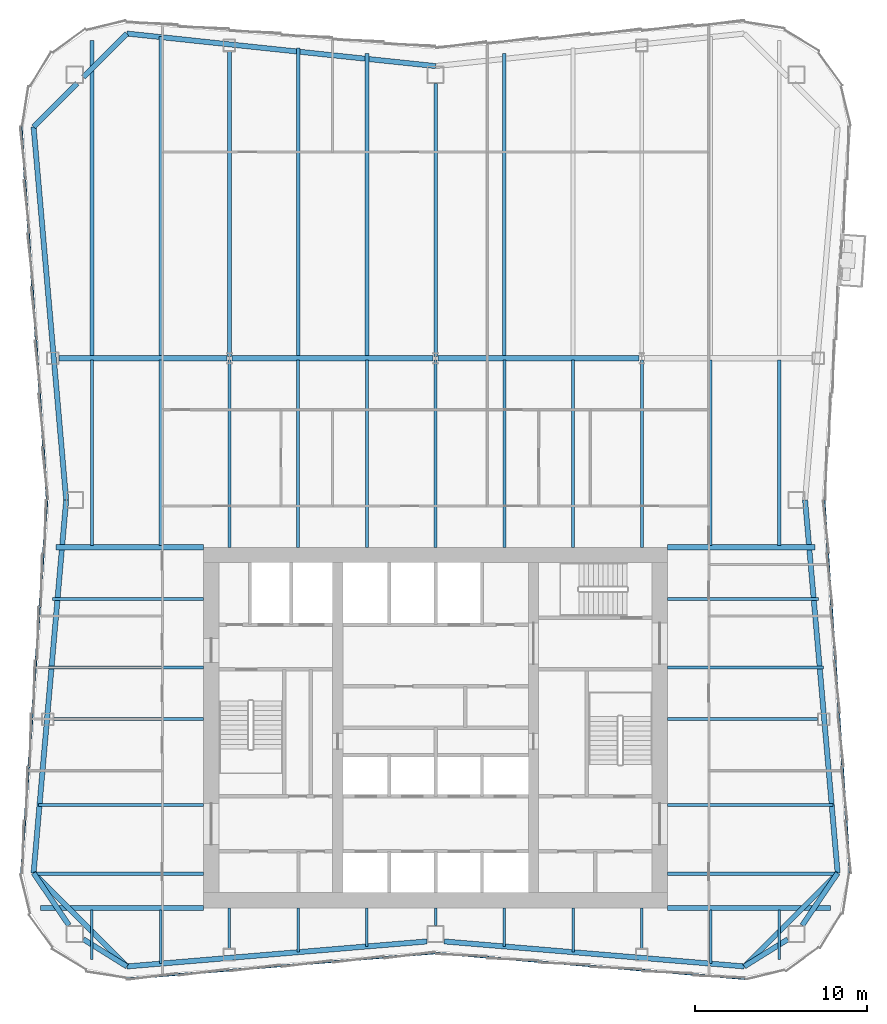
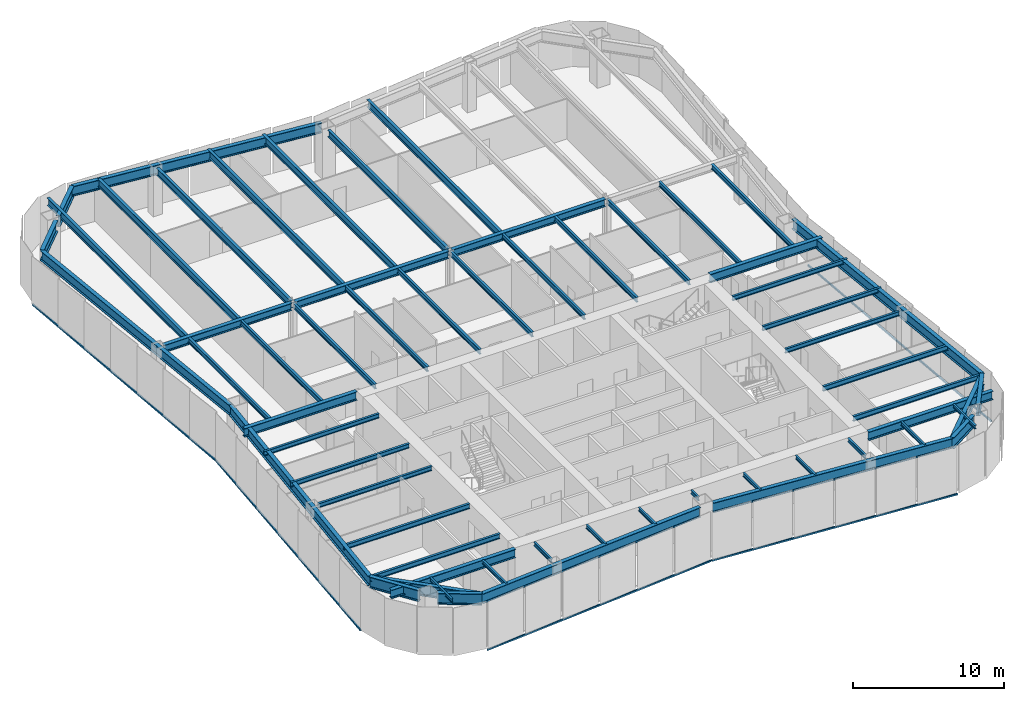
# One storey, part 2 of 10: 60 beams, 5 members, 3 elements without a shape of their own.
"""IFC4 building model written with IfcOpenShell, lengths in metres."""

from ifc_helpers import new_model, si_unit, direction, frame, origin, origin_2d, place, context, subcontext, project, spatial, rectangle, i_section, extrude, material, material_profile, profile_set, type_object, element, aggregate, save


model = new_model("IFC4")

# Units and contexts
model_context = context("Model", 3, precision=1e-05, world=origin(), true_north=direction((0.0, 1.0)))
body_context = subcontext(model_context, "Body", "Model", "MODEL_VIEW")
ifc_project = project(units=[si_unit("LENGTHUNIT", "METRE"), si_unit("AREAUNIT", "SQUARE_METRE"), si_unit("VOLUMEUNIT", "CUBIC_METRE"), si_unit("PLANEANGLEUNIT", "RADIAN"), si_unit("MASSUNIT", "GRAM", prefix="KILO")], contexts=[model_context])

# Site, building, storey
site_placement = place(None, origin())
site = spatial("IfcSite", under=ifc_project, at=site_placement, CompositionType="ELEMENT")
building_placement = place(site_placement, origin())
building = spatial("IfcBuilding", under=site, at=building_placement, Name="Verdant Reach Tower", CompositionType="ELEMENT")
storey_placement = place(building_placement, frame((0.0, 0.0, 186.0)))
storey = spatial("IfcBuildingStorey", under=building, at=storey_placement, Name="L42", CompositionType="ELEMENT", Elevation=186.0)

# Curtain wall, member
ifc_material_1 = material(Name="Anodised aluminium", Category="aluminium")
curtain_wall_type = type_object("IfcCurtainWallType", Name="EN-CW SYSTEM Z3", PredefinedType="NOTDEFINED", material=ifc_material_1)
curtain_wall_1_placement = place(storey_placement, origin())
curtain_wall_1 = element("IfcCurtainWall", 1, at=curtain_wall_1_placement, inside=storey, type_object=curtain_wall_type, Name="Curtain wall east, L42", PredefinedType="NOTDEFINED")
ifc_material_profile_1 = material_profile(ifc_material_1, rectangle(XDim=0.10009765625, YDim=0.1259765625, at=origin_2d()), Name="Transom 126x100")
ifc_profile_set_1 = profile_set([ifc_material_profile_1], Name="Anodised aluminium")
member_type = type_object("IfcMemberType", Name="EN-TRANSOM Z3", PredefinedType="USERDEFINED", material=ifc_profile_set_1)
member_1_placement = place(storey_placement, frame((24.1064453125, 19.52587890625, -0.287109375), z_axis=(-0.068764326054, 0.997632932226, 0.0), x_axis=(-0.997632932226, -0.068764326054, 0.0)))
member_1 = element("IfcMember", 2, at=member_1_placement, type_object=member_type, Name="Transom east face part 1 1.1, L42", ObjectType="TRANSOM", PredefinedType="USERDEFINED", context=body_context, shape_type="SweptSolid", body=[
    extrude(rectangle(XDim=0.10009765625, YDim=0.1259765625, at=origin_2d()), origin(), (0.0, 0.0, 1.0), 21.74267578125),
])
aggregate(curtain_wall_1, [member_1])

# Curtain wall, members
curtain_wall_2_placement = place(storey_placement, origin())
curtain_wall_2 = element("IfcCurtainWall", 3, at=curtain_wall_2_placement, inside=storey, type_object=curtain_wall_type, Name="Curtain wall west, L42", PredefinedType="NOTDEFINED")
member_2_placement = place(storey_placement, frame((-24.1064453125, 62.97412109375, -0.287109375), z_axis=(0.068764326054, -0.997632932226, 0.0), x_axis=(0.997632932226, 0.068764326054, 0.0)))
member_2 = element("IfcMember", 4, at=member_2_placement, type_object=member_type, Name="Transom west face part 1 1.1, L42", ObjectType="TRANSOM", PredefinedType="USERDEFINED", context=body_context, shape_type="SweptSolid", body=[
    extrude(rectangle(XDim=0.10009765625, YDim=0.1259765625, at=origin_2d()), origin(), (0.0, 0.0, 1.0), 21.74267578125),
])
member_3_placement = place(storey_placement, frame((-22.611328125, 41.217041015625, -0.287109375), z_axis=(-0.068764326054, -0.997632932226, 0.0), x_axis=(0.997632932226, -0.068764326054, 0.0)))
member_3 = element("IfcMember", 5, at=member_3_placement, type_object=member_type, Name="Transom west face part 2 1.1, L42", ObjectType="TRANSOM", PredefinedType="USERDEFINED", context=body_context, shape_type="SweptSolid", body=[
    extrude(rectangle(XDim=0.10009765625, YDim=0.1259765625, at=origin_2d()), origin(), (0.0, 0.0, 1.0), 21.74267578125),
])
aggregate(curtain_wall_2, [member_2, member_3])

curtain_wall_3_placement = place(storey_placement, origin())
curtain_wall_3 = element("IfcCurtainWall", 6, at=curtain_wall_3_placement, inside=storey, type_object=curtain_wall_type, Name="Curtain wall south, L42", PredefinedType="NOTDEFINED")
member_4_placement = place(storey_placement, frame((-17.973388671875, 13.393798828125, -0.287109375), z_axis=(0.996548750467, 0.083009565369, 0.0), x_axis=(-0.083009565369, 0.996548750467, 0.0)))
member_4 = element("IfcMember", 7, at=member_4_placement, type_object=member_type, Name="Transom south face part 1 1.1, L42", ObjectType="TRANSOM", PredefinedType="USERDEFINED", context=body_context, shape_type="SweptSolid", body=[
    extrude(rectangle(XDim=0.10009765625, YDim=0.1259765625, at=origin_2d()), origin(), (0.0, 0.0, 1.0), 18.00244140625),
])
member_5_placement = place(storey_placement, frame((0.032958984375, 14.88818359375, -0.287109375), z_axis=(0.996548750467, -0.083009565369, 0.0), x_axis=(0.083009565369, 0.996548750467, 0.0)))
member_5 = element("IfcMember", 8, at=member_5_placement, type_object=member_type, Name="Transom south face part 2 1.1, L42", ObjectType="TRANSOM", PredefinedType="USERDEFINED", context=body_context, shape_type="SweptSolid", body=[
    extrude(rectangle(XDim=0.10009765625, YDim=0.1259765625, at=origin_2d()), origin(), (0.0, 0.0, 1.0), 18.00244140625),
])
aggregate(curtain_wall_3, [member_4, member_5])

# Beams
ifc_material_2 = material(Name="Steel S355", Category="steel")
ifc_material_profile_2 = material_profile(ifc_material_2, i_section(OverallWidth=0.300048828125, OverallDepth=0.60009765625, WebThickness=0.015380859375, FlangeThickness=0.030029296875, FilletRadius=0.027099609375, at=origin_2d()), Name="HEB 600")
ifc_profile_set_2 = profile_set([ifc_material_profile_2], Name="Steel S355")
beam_type_1 = type_object("IfcBeamType", Name="ST-BEAM-HEB600", PredefinedType="BEAM", material=ifc_profile_set_2)
beam_1_placement = place(storey_placement, frame((-21.9189453125, 49.5, 3.570068359375), z_axis=(1.0, 0.0, 0.0), x_axis=(0.0, 1.0, 0.0)))
element("IfcBeam", 9, at=beam_1_placement, inside=storey, type_object=beam_type_1, Name="Row girder, L42", PredefinedType="BEAM", context=body_context, shape_type="SweptSolid", body=[
    extrude(i_section(OverallWidth=0.300048828125, OverallDepth=0.60009765625, WebThickness=0.015380859375, FlangeThickness=0.030029296875, FilletRadius=0.027099609375, at=origin_2d()), origin(), (0.0, 0.0, 1.0), 9.766357421875),
])
for number, where, z_axis, x_axis, name in (
    (10, (-11.847412109375, 49.5, 3.570068359375), (1.0, 0.0, 0.0), (0.0, 1.0, 0.0), "Row girder, L42"),
    (11, (0.152587890625, 49.5, 3.570068359375), (1.0, 0.0, 0.0), (0.0, 1.0, 0.0), "Row girder, L42"),
):
    element("IfcBeam", number, at=place(storey_placement, frame(where, z_axis=z_axis, x_axis=x_axis)), inside=storey, type_object=beam_type_1, Name=name, PredefinedType="BEAM", context=body_context, shape_type="SweptSolid", body=[
        extrude(i_section(OverallWidth=0.300048828125, OverallDepth=0.60009765625, WebThickness=0.015380859375, FlangeThickness=0.030029296875, FilletRadius=0.027099609375, at=origin_2d()), origin(), (0.0, 0.0, 1.0), 11.69482421875),
    ])
ifc_material_profile_3 = material_profile(ifc_material_2, i_section(OverallWidth=0.300048828125, OverallDepth=0.699951171875, WebThickness=0.01708984375, FlangeThickness=0.031982421875, FilletRadius=0.027099609375, at=origin_2d()), Name="HEB 700")
ifc_profile_set_3 = profile_set([ifc_material_profile_3], Name="Steel S355")
beam_type_2 = type_object("IfcBeamType", Name="ST-BEAM-HEB700", PredefinedType="BEAM", material=ifc_profile_set_3)
for number, where, z_axis, x_axis, name in (
    (12, (13.5, 38.5, 3.52001953125), (1.0, 0.0, 0.0), (0.0, 1.0, 0.0), "Trimmer beam, L42"),
    (13, (-13.5, 38.5, 3.52001953125), (-1.0, 0.0, 0.0), (0.0, -1.0, 0.0), "Trimmer beam, L42"),
):
    element("IfcBeam", number, at=place(storey_placement, frame(where, z_axis=z_axis, x_axis=x_axis)), inside=storey, type_object=beam_type_2, Name=name, PredefinedType="BEAM", context=body_context, shape_type="SweptSolid", body=[
        extrude(i_section(OverallWidth=0.300048828125, OverallDepth=0.699951171875, WebThickness=0.01708984375, FlangeThickness=0.031982421875, FilletRadius=0.027099609375, at=origin_2d()), origin(), (0.0, 0.0, 1.0), 8.588134765625),
    ])
for number, where, z_axis, x_axis, name in (
    (14, (13.5, 17.5, 3.52001953125), (1.0, 0.0, 0.0), (0.0, 1.0, 0.0), "Trimmer beam, L42"),
    (15, (-13.5, 17.5, 3.52001953125), (-1.0, 0.0, 0.0), (0.0, -1.0, 0.0), "Trimmer beam, L42"),
):
    element("IfcBeam", number, at=place(storey_placement, frame(where, z_axis=z_axis, x_axis=x_axis)), inside=storey, type_object=beam_type_2, Name=name, PredefinedType="BEAM", context=body_context, shape_type="SweptSolid", body=[
        extrude(i_section(OverallWidth=0.300048828125, OverallDepth=0.699951171875, WebThickness=0.01708984375, FlangeThickness=0.031982421875, FilletRadius=0.027099609375, at=origin_2d()), origin(), (0.0, 0.0, 1.0), 9.490478515625),
    ])
ifc_material_profile_4 = material_profile(ifc_material_2, i_section(OverallWidth=0.302001953125, OverallDepth=0.909912109375, WebThickness=0.02099609375, FlangeThickness=0.0400390625, FilletRadius=0.030029296875, at=origin_2d()), Name="HEM 900")
ifc_profile_set_4 = profile_set([ifc_material_profile_4], Name="Steel S355")
beam_type_3 = type_object("IfcBeamType", Name="ST-BEAM-HEM900", PredefinedType="BEAM", material=ifc_profile_set_4)
beam_2_placement = place(storey_placement, frame((20.5, 15.687744140625, 3.4150390625), z_axis=(-0.848163521635, -0.529734500073, 0.0), x_axis=(0.529734500073, -0.848163521635, 0.0)))
element("IfcBeam", 16, at=beam_2_placement, inside=storey, type_object=beam_type_3, Name="Column stub beam, L42", PredefinedType="BEAM", context=body_context, shape_type="SweptSolid", body=[
    extrude(i_section(OverallWidth=0.302001953125, OverallDepth=0.909912109375, WebThickness=0.02099609375, FlangeThickness=0.0400390625, FilletRadius=0.030029296875, at=origin_2d()), origin(), (0.0, 0.0, 1.0), 2.98779296875),
])
beam_3_placement = place(storey_placement, frame((21.33837890625, 16.5, 3.4150390625), z_axis=(0.560703975309, 0.828016335631, 0.0), x_axis=(-0.828016335631, 0.560703975309, 0.0)))
element("IfcBeam", 17, at=beam_3_placement, inside=storey, type_object=beam_type_3, Name="Column stub beam, L42", PredefinedType="BEAM", context=body_context, shape_type="SweptSolid", body=[
    extrude(i_section(OverallWidth=0.302001953125, OverallDepth=0.909912109375, WebThickness=0.02099609375, FlangeThickness=0.0400390625, FilletRadius=0.030029296875, at=origin_2d()), origin(), (0.0, 0.0, 1.0), 3.669677734375),
])
beam_4_placement = place(storey_placement, frame((-20.5, 15.687744140625, 3.4150390625), z_axis=(0.848163521635, -0.529734500073, 0.0), x_axis=(0.529734500073, 0.848163521635, 0.0)))
element("IfcBeam", 18, at=beam_4_placement, inside=storey, type_object=beam_type_3, Name="Column stub beam, L42", PredefinedType="BEAM", context=body_context, shape_type="SweptSolid", body=[
    extrude(i_section(OverallWidth=0.302001953125, OverallDepth=0.909912109375, WebThickness=0.02099609375, FlangeThickness=0.0400390625, FilletRadius=0.030029296875, at=origin_2d()), origin(), (0.0, 0.0, 1.0), 2.98779296875),
])
beam_5_placement = place(storey_placement, frame((-21.33837890625, 16.5, 3.4150390625), z_axis=(-0.560703975309, 0.828016335631, 0.0), x_axis=(-0.828016335631, -0.560703975309, 0.0)))
element("IfcBeam", 19, at=beam_5_placement, inside=storey, type_object=beam_type_3, Name="Column stub beam, L42", PredefinedType="BEAM", context=body_context, shape_type="SweptSolid", body=[
    extrude(i_section(OverallWidth=0.302001953125, OverallDepth=0.909912109375, WebThickness=0.02099609375, FlangeThickness=0.0400390625, FilletRadius=0.030029296875, at=origin_2d()), origin(), (0.0, 0.0, 1.0), 3.669677734375),
])
ifc_material_profile_5 = material_profile(ifc_material_2, i_section(OverallWidth=0.14990234375, OverallDepth=0.300048828125, WebThickness=0.007080078125, FlangeThickness=0.0107421875, FilletRadius=0.014892578125, at=origin_2d()), Name="IPE 300")
ifc_profile_set_5 = profile_set([ifc_material_profile_5], Name="Steel S355")
beam_type_4 = type_object("IfcBeamType", Name="ST-JOIST-IPE300", PredefinedType="JOIST", material=ifc_profile_set_5)
beam_6_placement = place(storey_placement, frame((-20.0, 17.39990234375, 3.719970703125), z_axis=(0.0, -1.0, 0.0), x_axis=(1.0, 0.0, 0.0)))
element("IfcBeam", 20, at=beam_6_placement, inside=storey, type_object=beam_type_4, Name="Floor joist, L42", PredefinedType="JOIST", context=body_context, shape_type="SweptSolid", body=[
    extrude(i_section(OverallWidth=0.14990234375, OverallDepth=0.300048828125, WebThickness=0.007080078125, FlangeThickness=0.0107421875, FilletRadius=0.014892578125, at=origin_2d()), origin(), (0.0, 0.0, 1.0), 2.890380859375),
])
beam_7_placement = place(storey_placement, frame((-16.0, 17.39990234375, 3.719970703125), z_axis=(0.0, -1.0, 0.0), x_axis=(1.0, 0.0, 0.0)))
element("IfcBeam", 21, at=beam_7_placement, inside=storey, type_object=beam_type_4, Name="Floor joist, L42", PredefinedType="JOIST", context=body_context, shape_type="SweptSolid", body=[
    extrude(i_section(OverallWidth=0.14990234375, OverallDepth=0.300048828125, WebThickness=0.007080078125, FlangeThickness=0.0107421875, FilletRadius=0.014892578125, at=origin_2d()), origin(), (0.0, 0.0, 1.0), 3.131103515625),
])
beam_8_placement = place(storey_placement, frame((-12.0, 17.5, 3.719970703125), z_axis=(0.0, -1.0, 0.0), x_axis=(1.0, 0.0, 0.0)))
element("IfcBeam", 22, at=beam_8_placement, inside=storey, type_object=beam_type_4, Name="Floor joist, L42", PredefinedType="JOIST", context=body_context, shape_type="SweptSolid", body=[
    extrude(i_section(OverallWidth=0.14990234375, OverallDepth=0.300048828125, WebThickness=0.007080078125, FlangeThickness=0.0107421875, FilletRadius=0.014892578125, at=origin_2d()), origin(), (0.0, 0.0, 1.0), 2.35009765625),
])
beam_9_placement = place(storey_placement, frame((-8.0, 17.5, 3.719970703125), z_axis=(0.0, -1.0, 0.0), x_axis=(1.0, 0.0, 0.0)))
element("IfcBeam", 23, at=beam_9_placement, inside=storey, type_object=beam_type_4, Name="Floor joist, L42", PredefinedType="JOIST", context=body_context, shape_type="SweptSolid", body=[
    extrude(i_section(OverallWidth=0.14990234375, OverallDepth=0.300048828125, WebThickness=0.007080078125, FlangeThickness=0.0107421875, FilletRadius=0.014892578125, at=origin_2d()), origin(), (0.0, 0.0, 1.0), 2.564697265625),
])
beam_10_placement = place(storey_placement, frame((-4.0, 17.5, 3.719970703125), z_axis=(0.0, -1.0, 0.0), x_axis=(1.0, 0.0, 0.0)))
element("IfcBeam", 24, at=beam_10_placement, inside=storey, type_object=beam_type_4, Name="Floor joist, L42", PredefinedType="JOIST", context=body_context, shape_type="SweptSolid", body=[
    extrude(i_section(OverallWidth=0.14990234375, OverallDepth=0.300048828125, WebThickness=0.007080078125, FlangeThickness=0.0107421875, FilletRadius=0.014892578125, at=origin_2d()), origin(), (0.0, 0.0, 1.0), 2.231201171875),
])
beam_11_placement = place(storey_placement, frame((0.0, 17.5, 3.719970703125), z_axis=(0.0, -1.0, 0.0), x_axis=(1.0, 0.0, 0.0)))
element("IfcBeam", 25, at=beam_11_placement, inside=storey, type_object=beam_type_4, Name="Floor joist, L42", PredefinedType="JOIST", context=body_context, shape_type="SweptSolid", body=[
    extrude(i_section(OverallWidth=0.14990234375, OverallDepth=0.300048828125, WebThickness=0.007080078125, FlangeThickness=0.0107421875, FilletRadius=0.014892578125, at=origin_2d()), origin(), (0.0, 0.0, 1.0), 1.0),
])
beam_12_placement = place(storey_placement, frame((4.0, 17.5, 3.719970703125), z_axis=(0.0, -1.0, 0.0), x_axis=(1.0, 0.0, 0.0)))
element("IfcBeam", 26, at=beam_12_placement, inside=storey, type_object=beam_type_4, Name="Floor joist, L42", PredefinedType="JOIST", context=body_context, shape_type="SweptSolid", body=[
    extrude(i_section(OverallWidth=0.14990234375, OverallDepth=0.300048828125, WebThickness=0.007080078125, FlangeThickness=0.0107421875, FilletRadius=0.014892578125, at=origin_2d()), origin(), (0.0, 0.0, 1.0), 2.231201171875),
])
beam_13_placement = place(storey_placement, frame((8.0, 17.5, 3.719970703125), z_axis=(0.0, -1.0, 0.0), x_axis=(1.0, 0.0, 0.0)))
element("IfcBeam", 27, at=beam_13_placement, inside=storey, type_object=beam_type_4, Name="Floor joist, L42", PredefinedType="JOIST", context=body_context, shape_type="SweptSolid", body=[
    extrude(i_section(OverallWidth=0.14990234375, OverallDepth=0.300048828125, WebThickness=0.007080078125, FlangeThickness=0.0107421875, FilletRadius=0.014892578125, at=origin_2d()), origin(), (0.0, 0.0, 1.0), 2.564697265625),
])
beam_14_placement = place(storey_placement, frame((12.0, 17.5, 3.719970703125), z_axis=(0.0, -1.0, 0.0), x_axis=(1.0, 0.0, 0.0)))
element("IfcBeam", 28, at=beam_14_placement, inside=storey, type_object=beam_type_4, Name="Floor joist, L42", PredefinedType="JOIST", context=body_context, shape_type="SweptSolid", body=[
    extrude(i_section(OverallWidth=0.14990234375, OverallDepth=0.300048828125, WebThickness=0.007080078125, FlangeThickness=0.0107421875, FilletRadius=0.014892578125, at=origin_2d()), origin(), (0.0, 0.0, 1.0), 2.35009765625),
])
beam_15_placement = place(storey_placement, frame((16.0, 17.39990234375, 3.719970703125), z_axis=(0.0, -1.0, 0.0), x_axis=(1.0, 0.0, 0.0)))
element("IfcBeam", 29, at=beam_15_placement, inside=storey, type_object=beam_type_4, Name="Floor joist, L42", PredefinedType="JOIST", context=body_context, shape_type="SweptSolid", body=[
    extrude(i_section(OverallWidth=0.14990234375, OverallDepth=0.300048828125, WebThickness=0.007080078125, FlangeThickness=0.0107421875, FilletRadius=0.014892578125, at=origin_2d()), origin(), (0.0, 0.0, 1.0), 3.131103515625),
])
beam_16_placement = place(storey_placement, frame((20.0, 17.39990234375, 3.719970703125), z_axis=(0.0, -1.0, 0.0), x_axis=(1.0, 0.0, 0.0)))
element("IfcBeam", 30, at=beam_16_placement, inside=storey, type_object=beam_type_4, Name="Floor joist, L42", PredefinedType="JOIST", context=body_context, shape_type="SweptSolid", body=[
    extrude(i_section(OverallWidth=0.14990234375, OverallDepth=0.300048828125, WebThickness=0.007080078125, FlangeThickness=0.0107421875, FilletRadius=0.014892578125, at=origin_2d()), origin(), (0.0, 0.0, 1.0), 2.890380859375),
])
ifc_material_profile_6 = material_profile(ifc_material_2, i_section(OverallWidth=0.169921875, OverallDepth=0.360107421875, WebThickness=0.008056640625, FlangeThickness=0.0126953125, FilletRadius=0.01806640625, at=origin_2d()), Name="IPE 360")
ifc_profile_set_6 = profile_set([ifc_material_profile_6], Name="Steel S355")
beam_type_5 = type_object("IfcBeamType", Name="ST-JOIST-IPE360", PredefinedType="JOIST", material=ifc_profile_set_6)
for number, where, z_axis, x_axis, name in (
    (31, (13.5, 28.5, 3.68994140625), (1.0, 0.0, 0.0), (0.0, 1.0, 0.0), "Floor joist, L42"),
    (32, (-13.5, 28.5, 3.68994140625), (-1.0, 0.0, 0.0), (0.0, -1.0, 0.0), "Floor joist, L42"),
):
    element("IfcBeam", number, at=place(storey_placement, frame(where, z_axis=z_axis, x_axis=x_axis)), inside=storey, type_object=beam_type_5, Name=name, PredefinedType="JOIST", context=body_context, shape_type="SweptSolid", body=[
        extrude(i_section(OverallWidth=0.169921875, OverallDepth=0.360107421875, WebThickness=0.008056640625, FlangeThickness=0.0126953125, FilletRadius=0.01806640625, at=origin_2d()), origin(), (0.0, 0.0, 1.0), 8.729248046875),
    ])
for number, where, z_axis, x_axis, name in (
    (33, (13.5, 31.5, 3.68994140625), (1.0, 0.0, 0.0), (0.0, 1.0, 0.0), "Floor joist, L42"),
    (34, (-13.5, 31.5, 3.68994140625), (-1.0, 0.0, 0.0), (0.0, -1.0, 0.0), "Floor joist, L42"),
):
    element("IfcBeam", number, at=place(storey_placement, frame(where, z_axis=z_axis, x_axis=x_axis)), inside=storey, type_object=beam_type_5, Name=name, PredefinedType="JOIST", context=body_context, shape_type="SweptSolid", body=[
        extrude(i_section(OverallWidth=0.169921875, OverallDepth=0.360107421875, WebThickness=0.008056640625, FlangeThickness=0.0126953125, FilletRadius=0.01806640625, at=origin_2d()), origin(), (0.0, 0.0, 1.0), 9.071044921875),
    ])
for number, where, z_axis, x_axis, name in (
    (35, (13.5, 35.5, 3.68994140625), (1.0, 0.0, 0.0), (0.0, 1.0, 0.0), "Floor joist, L42"),
    (36, (-13.5, 35.5, 3.68994140625), (-1.0, 0.0, 0.0), (0.0, -1.0, 0.0), "Floor joist, L42"),
):
    element("IfcBeam", number, at=place(storey_placement, frame(where, z_axis=z_axis, x_axis=x_axis)), inside=storey, type_object=beam_type_5, Name=name, PredefinedType="JOIST", context=body_context, shape_type="SweptSolid", body=[
        extrude(i_section(OverallWidth=0.169921875, OverallDepth=0.360107421875, WebThickness=0.008056640625, FlangeThickness=0.0126953125, FilletRadius=0.01806640625, at=origin_2d()), origin(), (0.0, 0.0, 1.0), 8.795166015625),
    ])
ifc_material_profile_7 = material_profile(ifc_material_2, i_section(OverallWidth=0.179931640625, OverallDepth=0.39990234375, WebThickness=0.008544921875, FlangeThickness=0.013427734375, FilletRadius=0.02099609375, at=origin_2d()), Name="IPE 400")
ifc_profile_set_7 = profile_set([ifc_material_profile_7], Name="Steel S355")
beam_type_6 = type_object("IfcBeamType", Name="ST-JOIST-IPE400", PredefinedType="JOIST", material=ifc_profile_set_7)
for number, where, z_axis, x_axis, name in (
    (37, (-20.0, 38.60009765625, 3.669921875), (0.0, 1.0, 0.0), (-1.0, 0.0, 0.0), "Floor joist, L42"),
    (38, (-16.0, 38.60009765625, 3.669921875), (0.0, 1.0, 0.0), (-1.0, 0.0, 0.0), "Floor joist, L42"),
):
    element("IfcBeam", number, at=place(storey_placement, frame(where, z_axis=z_axis, x_axis=x_axis)), inside=storey, type_object=beam_type_6, Name=name, PredefinedType="JOIST", context=body_context, shape_type="SweptSolid", body=[
        extrude(i_section(OverallWidth=0.179931640625, OverallDepth=0.39990234375, WebThickness=0.008544921875, FlangeThickness=0.013427734375, FilletRadius=0.02099609375, at=origin_2d()), origin(), (0.0, 0.0, 1.0), 10.7998046875),
    ])
for number, where, z_axis, x_axis, name in (
    (39, (-12.0, 38.5, 3.669921875), (0.0, 1.0, 0.0), (-1.0, 0.0, 0.0), "Floor joist, L42"),
    (40, (-8.0, 38.5, 3.669921875), (0.0, 1.0, 0.0), (-1.0, 0.0, 0.0), "Floor joist, L42"),
    (41, (-4.0, 38.5, 3.669921875), (0.0, 1.0, 0.0), (-1.0, 0.0, 0.0), "Floor joist, L42"),
    (42, (0.0, 38.5, 3.669921875), (0.0, 1.0, 0.0), (-1.0, 0.0, 0.0), "Floor joist, L42"),
    (43, (4.0, 38.5, 3.669921875), (0.0, 1.0, 0.0), (-1.0, 0.0, 0.0), "Floor joist, L42"),
    (44, (8.0, 38.5, 3.669921875), (0.0, 1.0, 0.0), (-1.0, 0.0, 0.0), "Floor joist, L42"),
    (45, (12.0, 38.5, 3.669921875), (0.0, 1.0, 0.0), (-1.0, 0.0, 0.0), "Floor joist, L42"),
):
    element("IfcBeam", number, at=place(storey_placement, frame(where, z_axis=z_axis, x_axis=x_axis)), inside=storey, type_object=beam_type_6, Name=name, PredefinedType="JOIST", context=body_context, shape_type="SweptSolid", body=[
        extrude(i_section(OverallWidth=0.179931640625, OverallDepth=0.39990234375, WebThickness=0.008544921875, FlangeThickness=0.013427734375, FilletRadius=0.02099609375, at=origin_2d()), origin(), (0.0, 0.0, 1.0), 10.89990234375),
    ])
for number, where, z_axis, x_axis, name in (
    (46, (16.0, 38.60009765625, 3.669921875), (0.0, 1.0, 0.0), (-1.0, 0.0, 0.0), "Floor joist, L42"),
    (47, (20.0, 38.60009765625, 3.669921875), (0.0, 1.0, 0.0), (-1.0, 0.0, 0.0), "Floor joist, L42"),
):
    element("IfcBeam", number, at=place(storey_placement, frame(where, z_axis=z_axis, x_axis=x_axis)), inside=storey, type_object=beam_type_6, Name=name, PredefinedType="JOIST", context=body_context, shape_type="SweptSolid", body=[
        extrude(i_section(OverallWidth=0.179931640625, OverallDepth=0.39990234375, WebThickness=0.008544921875, FlangeThickness=0.013427734375, FilletRadius=0.02099609375, at=origin_2d()), origin(), (0.0, 0.0, 1.0), 10.7998046875),
    ])
for number, where, z_axis, x_axis, name in (
    (48, (13.5, 19.5, 3.669921875), (1.0, 0.0, 0.0), (0.0, 1.0, 0.0), "Floor joist, L42"),
    (49, (-13.5, 19.5, 3.669921875), (-1.0, 0.0, 0.0), (0.0, -1.0, 0.0), "Floor joist, L42"),
):
    element("IfcBeam", number, at=place(storey_placement, frame(where, z_axis=z_axis, x_axis=x_axis)), inside=storey, type_object=beam_type_6, Name=name, PredefinedType="JOIST", context=body_context, shape_type="SweptSolid", body=[
        extrude(i_section(OverallWidth=0.179931640625, OverallDepth=0.39990234375, WebThickness=0.008544921875, FlangeThickness=0.013427734375, FilletRadius=0.02099609375, at=origin_2d()), origin(), (0.0, 0.0, 1.0), 9.88818359375),
    ])
for number, where, z_axis, x_axis, name in (
    (50, (13.5, 23.5, 3.669921875), (1.0, 0.0, 0.0), (0.0, 1.0, 0.0), "Floor joist, L42"),
    (51, (-13.5, 23.5, 3.669921875), (-1.0, 0.0, 0.0), (0.0, -1.0, 0.0), "Floor joist, L42"),
):
    element("IfcBeam", number, at=place(storey_placement, frame(where, z_axis=z_axis, x_axis=x_axis)), inside=storey, type_object=beam_type_6, Name=name, PredefinedType="JOIST", context=body_context, shape_type="SweptSolid", body=[
        extrude(i_section(OverallWidth=0.179931640625, OverallDepth=0.39990234375, WebThickness=0.008544921875, FlangeThickness=0.013427734375, FilletRadius=0.02099609375, at=origin_2d()), origin(), (0.0, 0.0, 1.0), 9.622802734375),
    ])
ifc_material_profile_8 = material_profile(ifc_material_2, i_section(OverallWidth=0.2099609375, OverallDepth=0.550048828125, WebThickness=0.010986328125, FlangeThickness=0.01708984375, FilletRadius=0.02392578125, at=origin_2d()), Name="IPE 550")
ifc_profile_set_8 = profile_set([ifc_material_profile_8], Name="Steel S355")
beam_type_7 = type_object("IfcBeamType", Name="ST-JOIST-IPE550", PredefinedType="JOIST", material=ifc_profile_set_8)
beam_17_placement = place(storey_placement, frame((0.0, 49.60009765625, 3.594970703125), z_axis=(0.0, 1.0, 0.0), x_axis=(-1.0, 0.0, 0.0)))
element("IfcBeam", 52, at=beam_17_placement, inside=storey, type_object=beam_type_7, Name="Floor joist, L42", PredefinedType="JOIST", context=body_context, shape_type="SweptSolid", body=[
    extrude(i_section(OverallWidth=0.2099609375, OverallDepth=0.550048828125, WebThickness=0.010986328125, FlangeThickness=0.01708984375, FilletRadius=0.02392578125, at=origin_2d()), origin(), (0.0, 0.0, 1.0), 15.89990234375),
])
ifc_material_profile_9 = material_profile(ifc_material_2, i_section(OverallWidth=0.219970703125, OverallDepth=0.60009765625, WebThickness=0.011962890625, FlangeThickness=0.01904296875, FilletRadius=0.02392578125, at=origin_2d()), Name="IPE 600")
ifc_profile_set_9 = profile_set([ifc_material_profile_9], Name="Steel S355")
beam_type_8 = type_object("IfcBeamType", Name="ST-JOIST-IPE600", PredefinedType="JOIST", material=ifc_profile_set_9)
beam_18_placement = place(storey_placement, frame((-20.0, 49.60009765625, 3.570068359375), z_axis=(0.0, 1.0, 0.0), x_axis=(-1.0, 0.0, 0.0)))
element("IfcBeam", 53, at=beam_18_placement, inside=storey, type_object=beam_type_8, Name="Floor joist, L42", PredefinedType="JOIST", context=body_context, shape_type="SweptSolid", body=[
    extrude(i_section(OverallWidth=0.219970703125, OverallDepth=0.60009765625, WebThickness=0.011962890625, FlangeThickness=0.01904296875, FilletRadius=0.02392578125, at=origin_2d()), origin(), (0.0, 0.0, 1.0), 18.390380859375),
])
beam_19_placement = place(storey_placement, frame((-16.0, 49.60009765625, 3.570068359375), z_axis=(0.0, 1.0, 0.0), x_axis=(-1.0, 0.0, 0.0)))
element("IfcBeam", 54, at=beam_19_placement, inside=storey, type_object=beam_type_8, Name="Floor joist, L42", PredefinedType="JOIST", context=body_context, shape_type="SweptSolid", body=[
    extrude(i_section(OverallWidth=0.219970703125, OverallDepth=0.60009765625, WebThickness=0.011962890625, FlangeThickness=0.01904296875, FilletRadius=0.02392578125, at=origin_2d()), origin(), (0.0, 0.0, 1.0), 18.631103515625),
])
beam_20_placement = place(storey_placement, frame((-12.0, 49.60009765625, 3.570068359375), z_axis=(0.0, 1.0, 0.0), x_axis=(-1.0, 0.0, 0.0)))
element("IfcBeam", 55, at=beam_20_placement, inside=storey, type_object=beam_type_8, Name="Floor joist, L42", PredefinedType="JOIST", context=body_context, shape_type="SweptSolid", body=[
    extrude(i_section(OverallWidth=0.219970703125, OverallDepth=0.60009765625, WebThickness=0.011962890625, FlangeThickness=0.01904296875, FilletRadius=0.02392578125, at=origin_2d()), origin(), (0.0, 0.0, 1.0), 17.75),
])
beam_21_placement = place(storey_placement, frame((-8.0, 49.60009765625, 3.570068359375), z_axis=(0.0, 1.0, 0.0), x_axis=(-1.0, 0.0, 0.0)))
element("IfcBeam", 56, at=beam_21_placement, inside=storey, type_object=beam_type_8, Name="Floor joist, L42", PredefinedType="JOIST", context=body_context, shape_type="SweptSolid", body=[
    extrude(i_section(OverallWidth=0.219970703125, OverallDepth=0.60009765625, WebThickness=0.011962890625, FlangeThickness=0.01904296875, FilletRadius=0.02392578125, at=origin_2d()), origin(), (0.0, 0.0, 1.0), 17.964599609375),
])
for number, where, z_axis, x_axis, name in (
    (57, (-4.0, 49.60009765625, 3.570068359375), (0.0, 1.0, 0.0), (-1.0, 0.0, 0.0), "Floor joist, L42"),
    (58, (4.0, 49.60009765625, 3.570068359375), (0.0, 1.0, 0.0), (-1.0, 0.0, 0.0), "Floor joist, L42"),
):
    element("IfcBeam", number, at=place(storey_placement, frame(where, z_axis=z_axis, x_axis=x_axis)), inside=storey, type_object=beam_type_8, Name=name, PredefinedType="JOIST", context=body_context, shape_type="SweptSolid", body=[
        extrude(i_section(OverallWidth=0.219970703125, OverallDepth=0.60009765625, WebThickness=0.011962890625, FlangeThickness=0.01904296875, FilletRadius=0.02392578125, at=origin_2d()), origin(), (0.0, 0.0, 1.0), 17.631103515625),
    ])
ifc_material_profile_10 = material_profile(ifc_material_2, i_section(OverallWidth=0.300048828125, OverallDepth=0.800048828125, WebThickness=0.017578125, FlangeThickness=0.032958984375, FilletRadius=0.030029296875, at=origin_2d()), Name="HEB 800")
ifc_profile_set_10 = profile_set([ifc_material_profile_10], Name="Steel S355")
beam_type_9 = type_object("IfcBeamType", Name="ST-SPANDREL-HEB800", PredefinedType="SPANDREL", material=ifc_profile_set_10)
for number, where, z_axis, x_axis, name in (
    (59, (17.9658203125, 14.10498046875, 3.469970703125), (-0.99654652675, 0.083036257282, 0.0), (-0.083036257282, -0.99654652675, 0.0), "Edge beam, L42"),
    (60, (-0.5, 15.560302734375, 3.469970703125), (-0.99654652675, -0.083036257282, 0.0), (0.083036257282, -0.99654652675, 0.0), "Edge beam, L42"),
):
    element("IfcBeam", number, at=place(storey_placement, frame(where, z_axis=z_axis, x_axis=x_axis)), inside=storey, type_object=beam_type_9, Name=name, PredefinedType="SPANDREL", context=body_context, shape_type="SweptSolid", body=[
        extrude(i_section(OverallWidth=0.300048828125, OverallDepth=0.800048828125, WebThickness=0.017578125, FlangeThickness=0.032958984375, FilletRadius=0.030029296875, at=origin_2d()), origin(), (0.0, 0.0, 1.0), 17.5263671875),
    ])
for number, where, z_axis, x_axis, name in (
    (61, (-23.39599609375, 19.53857421875, 3.469970703125), (0.086996024331, 0.996208658741, 0.0), (-0.996208658741, 0.086996024331, 0.0), "Edge beam, L42"),
    (62, (-21.5, 41.25, 3.469970703125), (-0.086996024331, 0.996208658741, 0.0), (-0.996208658741, -0.086996024331, 0.0), "Edge beam, L42"),
):
    element("IfcBeam", number, at=place(storey_placement, frame(where, z_axis=z_axis, x_axis=x_axis)), inside=storey, type_object=beam_type_9, Name=name, PredefinedType="SPANDREL", context=body_context, shape_type="SweptSolid", body=[
        extrude(i_section(OverallWidth=0.300048828125, OverallDepth=0.800048828125, WebThickness=0.017578125, FlangeThickness=0.032958984375, FilletRadius=0.030029296875, at=origin_2d()), origin(), (0.0, 0.0, 1.0), 21.7939453125),
    ])
beam_22_placement = place(storey_placement, frame((-17.9658203125, 68.39501953125, 3.469970703125), z_axis=(0.994483067002, -0.104897232783, 0.0), x_axis=(0.104897232783, 0.994483067002, 0.0)))
element("IfcBeam", 63, at=beam_22_placement, inside=storey, type_object=beam_type_9, Name="Edge beam, L42", PredefinedType="SPANDREL", context=body_context, shape_type="SweptSolid", body=[
    extrude(i_section(OverallWidth=0.300048828125, OverallDepth=0.800048828125, WebThickness=0.017578125, FlangeThickness=0.032958984375, FilletRadius=0.030029296875, at=origin_2d()), origin(), (0.0, 0.0, 1.0), 18.0654296875),
])
beam_23_placement = place(storey_placement, frame((21.5, 41.25, 3.469970703125), z_axis=(0.086996024331, -0.996208658741, 0.0), x_axis=(0.996208658741, 0.086996024331, 0.0)))
element("IfcBeam", 64, at=beam_23_placement, inside=storey, type_object=beam_type_9, Name="Edge beam, L42", PredefinedType="SPANDREL", context=body_context, shape_type="SweptSolid", body=[
    extrude(i_section(OverallWidth=0.300048828125, OverallDepth=0.800048828125, WebThickness=0.017578125, FlangeThickness=0.032958984375, FilletRadius=0.030029296875, at=origin_2d()), origin(), (0.0, 0.0, 1.0), 21.7939453125),
])
ifc_material_profile_11 = material_profile(ifc_material_2, i_section(OverallWidth=0.302001953125, OverallDepth=0.909912109375, WebThickness=0.02099609375, FlangeThickness=0.0400390625, FilletRadius=0.030029296875, at=origin_2d()), Name="HEM 900")
ifc_profile_set_11 = profile_set([ifc_material_profile_11], Name="Steel S355")
beam_type_10 = type_object("IfcBeamType", Name="ST-SPANDREL-HEM900", PredefinedType="SPANDREL", material=ifc_profile_set_11)
beam_24_placement = place(storey_placement, frame((-17.9658203125, 14.10498046875, 3.4150390625), z_axis=(-0.706884275642, 0.707329216738, 0.0), x_axis=(-0.707329216738, -0.706884275642, 0.0)))
element("IfcBeam", 65, at=beam_24_placement, inside=storey, type_object=beam_type_10, Name="Edge beam, L42", PredefinedType="SPANDREL", context=body_context, shape_type="SweptSolid", body=[
    extrude(i_section(OverallWidth=0.302001953125, OverallDepth=0.909912109375, WebThickness=0.02099609375, FlangeThickness=0.0400390625, FilletRadius=0.030029296875, at=origin_2d()), origin(), (0.0, 0.0, 1.0), 7.681884765625),
])
beam_25_placement = place(storey_placement, frame((-23.39599609375, 62.96142578125, 3.4150390625), z_axis=(0.706902680526, 0.707310822952, 0.0), x_axis=(-0.707310822952, 0.706902680526, 0.0)))
element("IfcBeam", 66, at=beam_25_placement, inside=storey, type_object=beam_type_10, Name="Edge beam, L42", PredefinedType="SPANDREL", context=body_context, shape_type="SweptSolid", body=[
    extrude(i_section(OverallWidth=0.302001953125, OverallDepth=0.909912109375, WebThickness=0.02099609375, FlangeThickness=0.0400390625, FilletRadius=0.030029296875, at=origin_2d()), origin(), (0.0, 0.0, 1.0), 3.589111328125),
])
beam_26_placement = place(storey_placement, frame((-20.5, 65.859130859375, 3.4150390625), z_axis=(0.706868394255, 0.707345087777, 0.0), x_axis=(-0.707345087777, 0.706868394255, 0.0)))
element("IfcBeam", 67, at=beam_26_placement, inside=storey, type_object=beam_type_10, Name="Edge beam, L42", PredefinedType="SPANDREL", context=body_context, shape_type="SweptSolid", body=[
    extrude(i_section(OverallWidth=0.302001953125, OverallDepth=0.909912109375, WebThickness=0.02099609375, FlangeThickness=0.0400390625, FilletRadius=0.030029296875, at=origin_2d()), origin(), (0.0, 0.0, 1.0), 3.5849609375),
])
beam_27_placement = place(storey_placement, frame((23.39599609375, 19.53857421875, 3.4150390625), z_axis=(-0.706884275642, -0.707329216738, 0.0), x_axis=(0.707329216738, -0.706884275642, 0.0)))
element("IfcBeam", 68, at=beam_27_placement, inside=storey, type_object=beam_type_10, Name="Edge beam, L42", PredefinedType="SPANDREL", context=body_context, shape_type="SweptSolid", body=[
    extrude(i_section(OverallWidth=0.302001953125, OverallDepth=0.909912109375, WebThickness=0.02099609375, FlangeThickness=0.0400390625, FilletRadius=0.030029296875, at=origin_2d()), origin(), (0.0, 0.0, 1.0), 7.681884765625),
])

save(model, "model.ifc")
